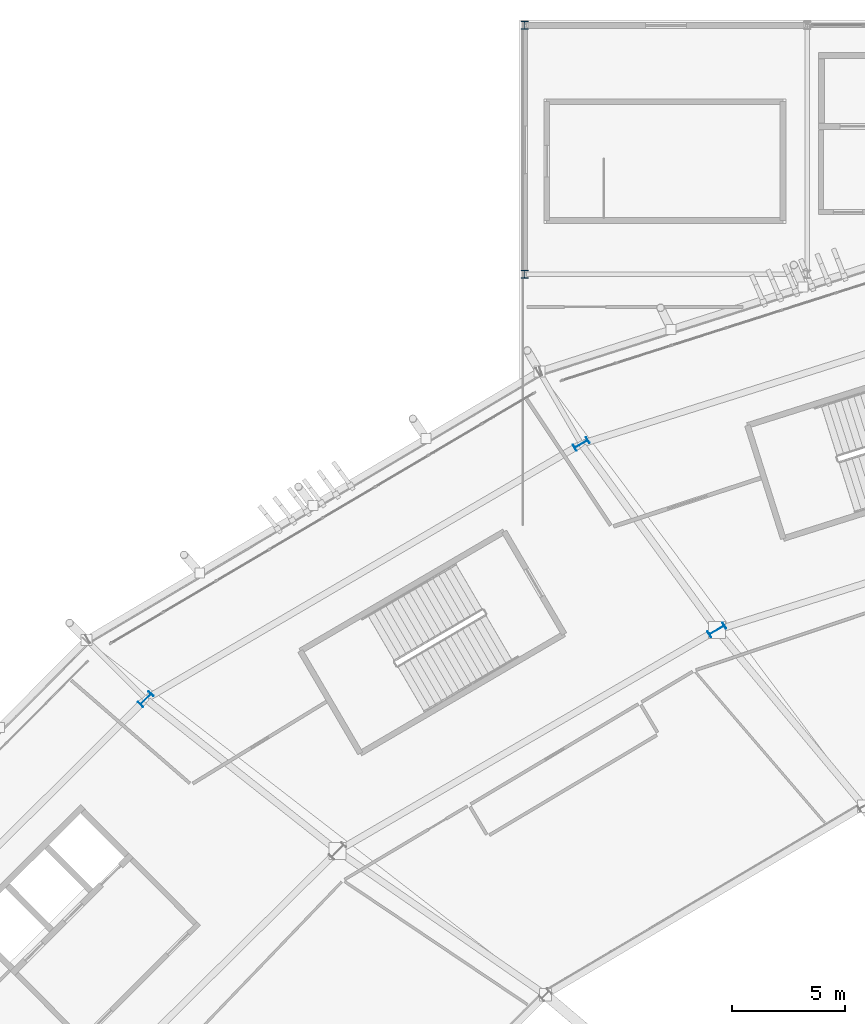
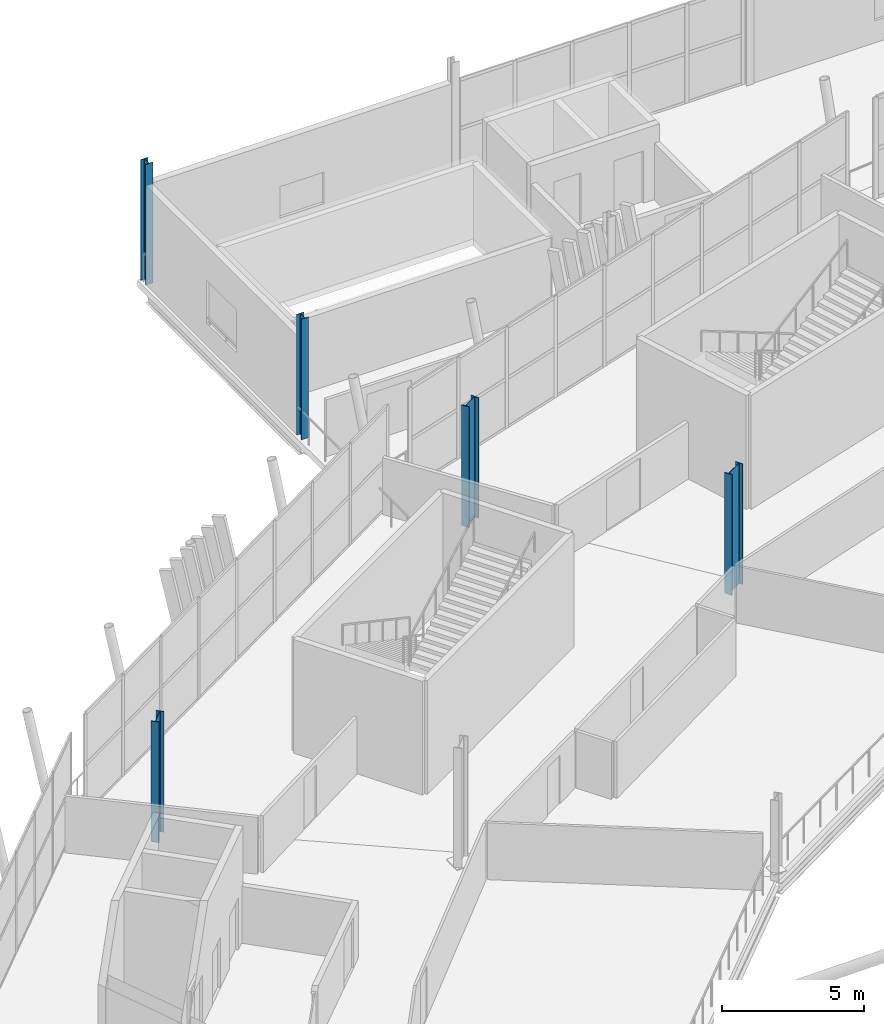
# One storey, part 16 of 168: 5 columns.
"""IFC4 building model written with IfcOpenShell, lengths in metres."""

from ifc_helpers import new_model, si_unit, direction, frame, origin, origin_2d, place, context, subcontext, project, spatial, i_section, extrude, material, material_profile, profile_set, type_object, element, save


model = new_model("IFC4")

# Units and contexts
model_context = context("Model", 3, precision=1e-05, world=origin(), true_north=direction((0.0, 1.0)))
body_context = subcontext(model_context, "Body", "Model", "MODEL_VIEW")
ifc_project = project(units=[si_unit("LENGTHUNIT", "METRE"), si_unit("AREAUNIT", "SQUARE_METRE"), si_unit("VOLUMEUNIT", "CUBIC_METRE"), si_unit("PLANEANGLEUNIT", "RADIAN"), si_unit("MASSUNIT", "GRAM", prefix="KILO")], contexts=[model_context])

# Site, building, storey
site_placement = place(None, origin())
site = spatial("IfcSite", under=ifc_project, at=site_placement, CompositionType="ELEMENT")
building_placement = place(site_placement, origin())
building = spatial("IfcBuilding", under=site, at=building_placement, Name="Zlatoyarsky Gate Stadium", CompositionType="ELEMENT")
storey_placement = place(building_placement, frame((0.0, 0.0, 15.60009765625)))
storey = spatial("IfcBuildingStorey", under=building, at=storey_placement, Name="L03", CompositionType="ELEMENT", Elevation=15.60009765625)

# Columns
ifc_material = material(Name="Steel S355", Category="steel")
ifc_material_profile_1 = material_profile(ifc_material, i_section(OverallWidth=0.300048828125, OverallDepth=0.360107421875, WebThickness=0.012451171875, FlangeThickness=0.0224609375, FilletRadius=0.027099609375, at=origin_2d()), Name="HEB 360")
ifc_profile_set_1 = profile_set([ifc_material_profile_1], Name="Steel S355")
column_type_1 = type_object("IfcColumnType", Name="STEEL COLUMN HEB 360", PredefinedType="COLUMN", material=ifc_profile_set_1)
for number, where, z_axis, x_axis, name in (
    (1, (62.0, 149.0, 0.0), (0.0, 0.0, 1.0), (1.0, 0.0, 0.0), "Column ST-C360 WG-6-P on L03"),
    (2, (62.0, 160.0, 0.0), (0.0, 0.0, 1.0), (1.0, 0.0, 0.0), "Column ST-C360 WG-6-Q on L03"),
):
    element("IfcColumn", number, at=place(storey_placement, frame(where, z_axis=z_axis, x_axis=x_axis)), inside=storey, type_object=column_type_1, Name=name, PredefinedType="COLUMN", context=body_context, shape_type="SweptSolid", body=[
        extrude(i_section(OverallWidth=0.300048828125, OverallDepth=0.360107421875, WebThickness=0.012451171875, FlangeThickness=0.0224609375, FilletRadius=0.027099609375, at=origin_2d()), origin(), (0.0, 0.0, 1.0), 5.199951171875),
    ])
ifc_material_profile_2 = material_profile(ifc_material, i_section(OverallWidth=0.300048828125, OverallDepth=0.699951171875, WebThickness=0.01708984375, FlangeThickness=0.031982421875, FilletRadius=0.027099609375, at=origin_2d()), Name="HEB 700")
ifc_profile_set_2 = profile_set([ifc_material_profile_2], Name="Steel S355")
column_type_2 = type_object("IfcColumnType", Name="STEEL COLUMN HEB 700", PredefinedType="COLUMN", material=ifc_profile_set_2)
for number, where, z_axis, x_axis, name in (
    (3, (64.5, 141.48779296875, 0.0), (0.0, 0.0, 1.0), (-0.5, 0.866025403784, 0.0), "Column ST-C700 RC-08 on L03"),
    (4, (45.239013671875, 130.20458984375, 0.0), (0.0, 0.0, 1.0), (-0.707106781187, 0.707106781187, 0.0), "Column ST-C700 RC-09 on L03"),
):
    element("IfcColumn", number, at=place(storey_placement, frame(where, z_axis=z_axis, x_axis=x_axis)), inside=storey, type_object=column_type_2, Name=name, PredefinedType="COLUMN", context=body_context, shape_type="SweptSolid", body=[
        extrude(i_section(OverallWidth=0.300048828125, OverallDepth=0.699951171875, WebThickness=0.01708984375, FlangeThickness=0.031982421875, FilletRadius=0.027099609375, at=origin_2d()), origin(), (0.0, 0.0, 1.0), 5.199951171875),
    ])
ifc_material_profile_3 = material_profile(ifc_material, i_section(OverallWidth=0.300048828125, OverallDepth=0.800048828125, WebThickness=0.017578125, FlangeThickness=0.032958984375, FilletRadius=0.030029296875, at=origin_2d()), Name="HEB 800")
ifc_profile_set_3 = profile_set([ifc_material_profile_3], Name="Steel S355")
column_type_3 = type_object("IfcColumnType", Name="STEEL COLUMN HEB 800", PredefinedType="COLUMN", material=ifc_profile_set_3)
column_placement = place(storey_placement, frame((70.5, 133.260498046875, 0.0), z_axis=(0.0, 0.0, 1.0), x_axis=(-0.5, 0.866025403784, 0.0)))
element("IfcColumn", 5, at=column_placement, inside=storey, type_object=column_type_3, Name="Column ST-C800 RB-08 on L03", PredefinedType="COLUMN", context=body_context, shape_type="SweptSolid", body=[
    extrude(i_section(OverallWidth=0.300048828125, OverallDepth=0.800048828125, WebThickness=0.017578125, FlangeThickness=0.032958984375, FilletRadius=0.030029296875, at=origin_2d()), origin(), (0.0, 0.0, 1.0), 5.199951171875),
])

save(model, "model.ifc")
